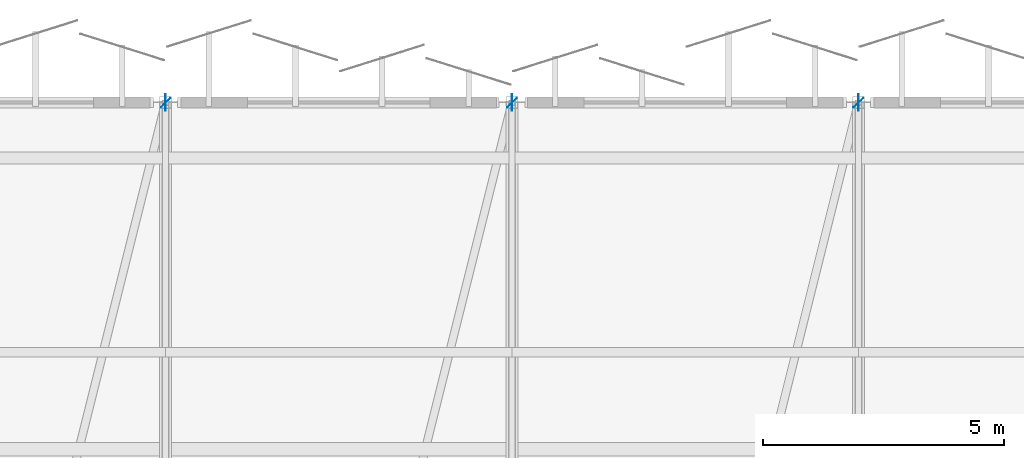
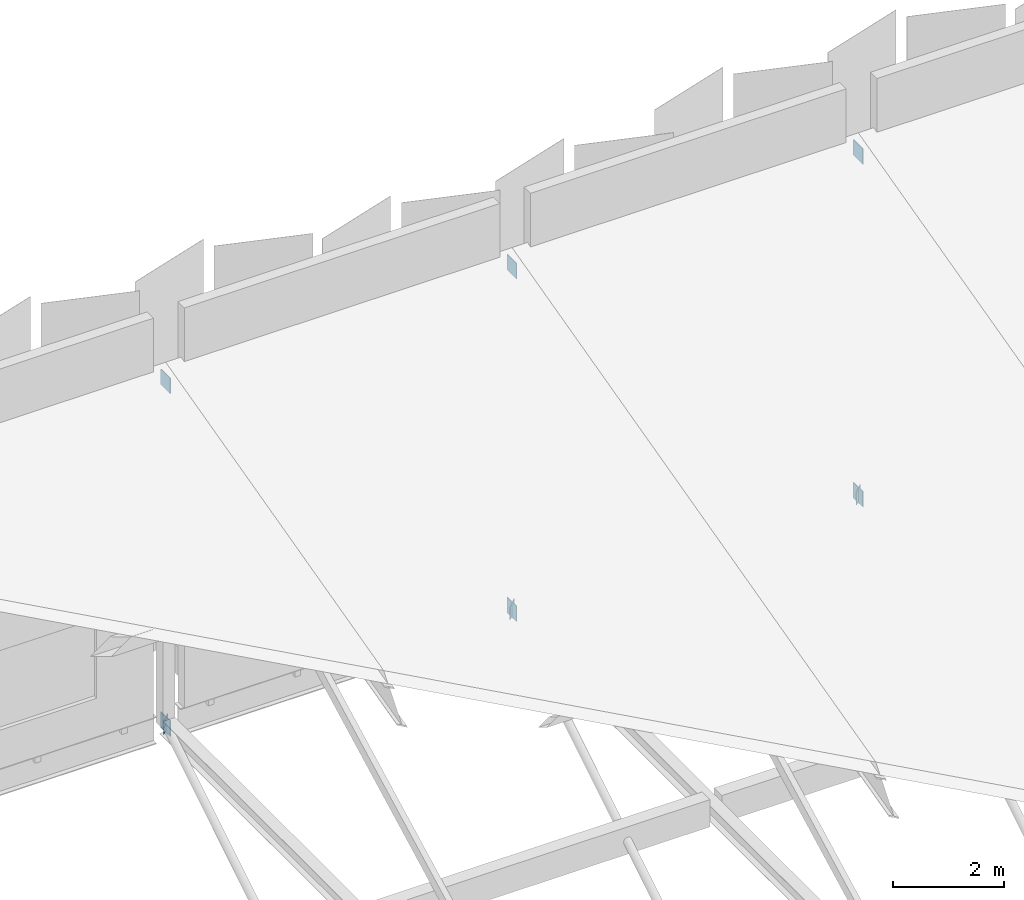
# One storey, part 76 of 108: 9 plates.
"""IFC4 building model written with IfcOpenShell, lengths in metres."""

from ifc_helpers import new_model, si_unit, direction, frame, origin, origin_2d, place, context, subcontext, project, spatial, rectangle, extrude, material, layer, layer_set, type_object, element, save


model = new_model("IFC4")

# Units and contexts
model_context = context("Model", 3, precision=1e-05, world=origin(), true_north=direction((0.0, 1.0)))
body_context = subcontext(model_context, "Body", "Model", "MODEL_VIEW")
ifc_project = project(units=[si_unit("LENGTHUNIT", "METRE"), si_unit("AREAUNIT", "SQUARE_METRE"), si_unit("VOLUMEUNIT", "CUBIC_METRE"), si_unit("PLANEANGLEUNIT", "RADIAN"), si_unit("MASSUNIT", "GRAM", prefix="KILO")], contexts=[model_context])

# Site, building, storey
site_placement = place(None, origin())
site = spatial("IfcSite", under=ifc_project, at=site_placement, CompositionType="ELEMENT")
building_placement = place(site_placement, origin())
building = spatial("IfcBuilding", under=site, at=building_placement, Name="Kangsadwip Square Police Headquarters", CompositionType="ELEMENT")
storey_placement = place(building_placement, frame((0.0, 0.0, 9.449951171875)))
storey = spatial("IfcBuildingStorey", under=building, at=storey_placement, Name="L02", CompositionType="ELEMENT", Elevation=9.449951171875)

# Plates
ifc_material_1 = material(Name="Structural steel IS 2062 E350 (Grade 350, 350 MPa)", Category="steel")
ifc_layer_1 = layer(ifc_material_1, 0.011962890625)
ifc_layer_set_1 = layer_set([ifc_layer_1], Name="Structural steel IS 2062 E350 (Grade 350, 350 MPa)")
plate_type_1 = type_object("IfcPlateType", Name="TrussEndCapPlate12", PredefinedType="USERDEFINED", material=ifc_layer_set_1)
for number, where, z_axis, x_axis, name in (
    (1, (64.800048828125, 115.199951171875, -0.68994140625), (0.0, 0.0, 1.0), (0.707106781187, 0.707106781187, 0.0), "Truss Node Gusset Plate GP-L02-0049"),
    (2, (72.0, 115.199951171875, -0.68994140625), (0.0, 0.0, 1.0), (0.707106781187, 0.707106781187, 0.0), "Truss Node Gusset Plate GP-L02-0051"),
    (3, (79.199951171875, 115.199951171875, -0.68994140625), (0.0, 0.0, 1.0), (0.707106781187, 0.707106781187, 0.0), "Truss Node Gusset Plate GP-L02-0053"),
):
    element("IfcPlate", number, at=place(storey_placement, frame(where, z_axis=z_axis, x_axis=x_axis)), inside=storey, type_object=plate_type_1, Name=name, ObjectType="GUSSET_PLATE", PredefinedType="USERDEFINED", context=body_context, shape_type="SweptSolid", body=[
        extrude(rectangle(XDim=0.280029296875, YDim=0.011962890625, at=origin_2d()), origin(), (0.0, 0.0, 1.0), 0.280029296875),
    ])
ifc_material_2 = material(Name="Structural steel IS 2062 E350 (Grade 350, 350 MPa)", Category="steel")
ifc_layer_2 = layer(ifc_material_2, 0.01611328125)
ifc_layer_set_2 = layer_set([ifc_layer_2], Name="Structural steel IS 2062 E350 (Grade 350, 350 MPa)")
plate_type_2 = type_object("IfcPlateType", Name="TrussGussetPlate16", PredefinedType="USERDEFINED", material=ifc_layer_set_2)
for number, where, z_axis, x_axis, name in (
    (4, (64.800048828125, 115.199951171875, -0.72021484375), (0.0, 0.0, 1.0), (0.0, 1.0, 0.0), "Truss Node Gusset Plate GP-L02-0019"),
    (5, (64.800048828125, 115.199951171875, 6.81005859375), (0.0, 0.0, 1.0), (0.0, 1.0, 0.0), "Truss Node Gusset Plate GP-L02-0020"),
    (6, (72.0, 115.199951171875, -0.72021484375), (0.0, 0.0, 1.0), (0.0, 1.0, 0.0), "Truss Node Gusset Plate GP-L02-0026"),
    (7, (72.0, 115.199951171875, 6.81005859375), (0.0, 0.0, 1.0), (0.0, 1.0, 0.0), "Truss Node Gusset Plate GP-L02-0027"),
    (8, (79.199951171875, 115.199951171875, -0.72021484375), (0.0, 0.0, 1.0), (0.0, 1.0, 0.0), "Truss Node Gusset Plate GP-L02-0033"),
    (9, (79.199951171875, 115.199951171875, 6.81005859375), (0.0, 0.0, 1.0), (0.0, 1.0, 0.0), "Truss Node Gusset Plate GP-L02-0034"),
):
    element("IfcPlate", number, at=place(storey_placement, frame(where, z_axis=z_axis, x_axis=x_axis)), inside=storey, type_object=plate_type_2, Name=name, ObjectType="GUSSET_PLATE", PredefinedType="USERDEFINED", context=body_context, shape_type="SweptSolid", body=[
        extrude(rectangle(XDim=0.340087890625, YDim=0.01611328125, at=origin_2d()), origin(), (0.0, 0.0, 1.0), 0.340087890625),
    ])

save(model, "model.ifc")
